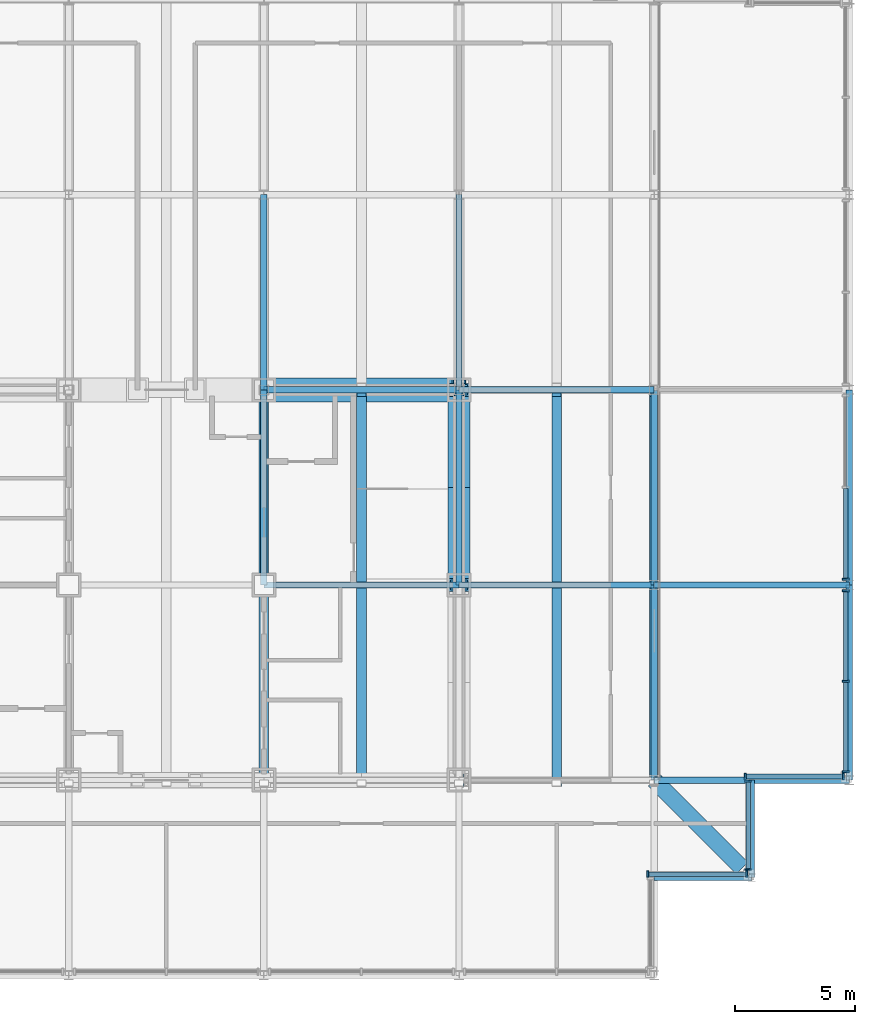
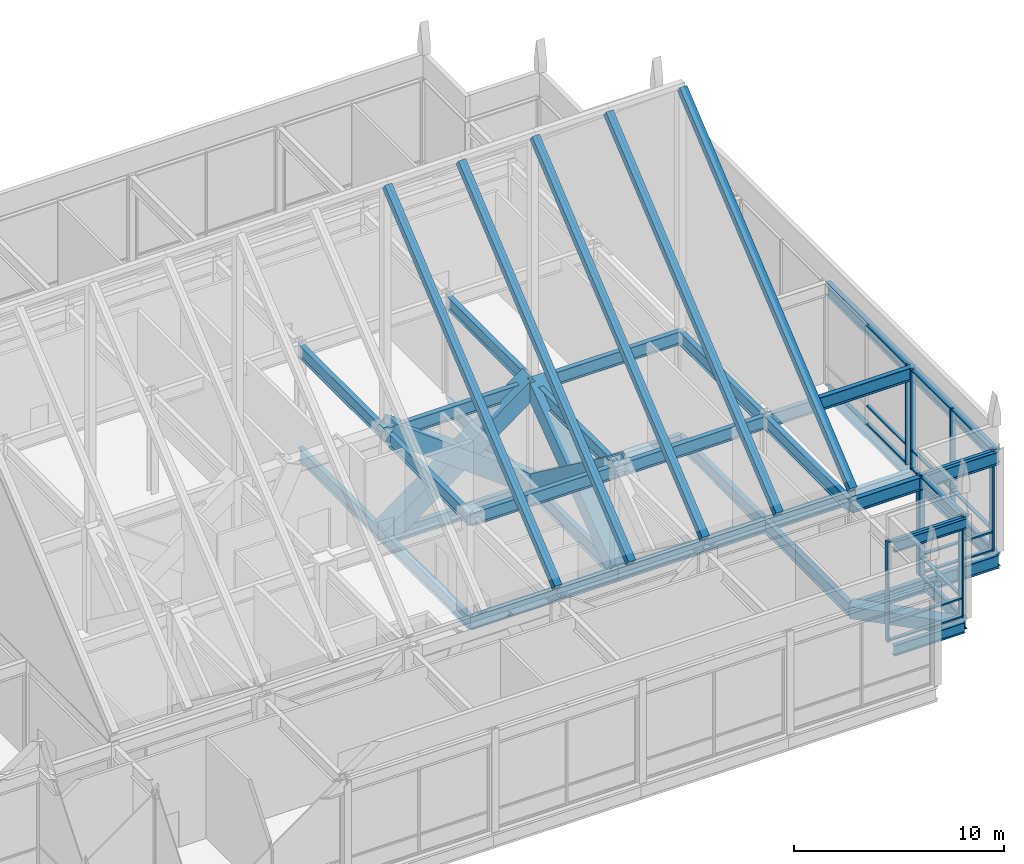
# One storey, part 8 of 22: 38 beams, 32 members, 5 elements without a shape of their own.
"""IFC4 building model written with IfcOpenShell, lengths in metres."""

from ifc_helpers import new_model, si_unit, direction, frame, origin, origin_2d, place, context, subcontext, project, spatial, rectangle, hollow_rectangle, i_section, extrude, material, material_profile, profile_set, type_object, element, aggregate, save


model = new_model("IFC4")

# Units and contexts
model_context = context("Model", 3, precision=1e-05, world=origin(), true_north=direction((0.0, 1.0)))
body_context = subcontext(model_context, "Body", "Model", "MODEL_VIEW")
ifc_project = project(units=[si_unit("LENGTHUNIT", "METRE"), si_unit("AREAUNIT", "SQUARE_METRE"), si_unit("VOLUMEUNIT", "CUBIC_METRE"), si_unit("PLANEANGLEUNIT", "RADIAN"), si_unit("MASSUNIT", "GRAM", prefix="KILO")], contexts=[model_context])

# Site, building, storey
site_placement = place(None, origin())
site = spatial("IfcSite", under=ifc_project, at=site_placement, CompositionType="ELEMENT")
building_placement = place(site_placement, origin())
building = spatial("IfcBuilding", under=site, at=building_placement, Name="Kopane Lantern Tower", CompositionType="ELEMENT")
storey_placement = place(building_placement, frame((0.0, 0.0, 303.89990234375)))
storey = spatial("IfcBuildingStorey", under=building, at=storey_placement, Name="L77", CompositionType="ELEMENT", Elevation=303.89990234375)

# Members
ifc_material_1 = material(Name="Steel S355JR", Category="steel")
ifc_material_profile_1 = material_profile(ifc_material_1, hollow_rectangle(XDim=1.0, YDim=1.0, WallThickness=0.10009765625, at=origin_2d()), Name="BOX 1000x1000x100")
ifc_profile_set_1 = profile_set([ifc_material_profile_1], Name="Steel S355JR")
member_type_1 = type_object("IfcMemberType", Name="BRACE BOX 1000x1000x100", PredefinedType="BRACE", material=ifc_profile_set_1)
for number, where, z_axis, x_axis, name in (
    (1, (32.39990234375, 40.5, -0.2099609375), (0.803085697945, 0.0, 0.595863542899), (0.0, 1.0, 0.0), "Core brace L77"),
    (2, (40.5, 40.5, -0.2099609375), (-0.803085697945, 0.0, 0.595863542899), (0.0, -1.0, 0.0), "Core brace L77"),
):
    element("IfcMember", number, at=place(storey_placement, frame(where, z_axis=z_axis, x_axis=x_axis)), inside=storey, type_object=member_type_1, Name=name, PredefinedType="BRACE", context=body_context, shape_type="SweptSolid", body=[
        extrude(hollow_rectangle(XDim=1.0, YDim=1.0, WallThickness=0.10009765625, at=origin_2d()), origin(), (0.0, 0.0, 1.0), 10.086181640625),
    ])
ifc_material_2 = material(Name="Steel S355JR", Category="steel")
ifc_material_profile_2 = material_profile(ifc_material_2, hollow_rectangle(XDim=0.89990234375, YDim=0.89990234375, WallThickness=0.090087890625, at=origin_2d()), Name="BOX 900x900x90")
ifc_profile_set_2 = profile_set([ifc_material_profile_2], Name="Steel S355JR")
member_type_2 = type_object("IfcMemberType", Name="BRACE BOX 900x900x90", PredefinedType="BRACE", material=ifc_profile_set_2)
for number, where, z_axis, x_axis, name in (
    (3, (40.5, 32.39990234375, -0.2099609375), (0.0, 0.803085697945, 0.595863542899), (-1.0, 0.0, 0.0), "Core brace L77"),
    (4, (40.5, 40.5, -0.2099609375), (0.0, -0.803085697945, 0.595863542899), (1.0, 0.0, 0.0), "Core brace L77"),
):
    element("IfcMember", number, at=place(storey_placement, frame(where, z_axis=z_axis, x_axis=x_axis)), inside=storey, type_object=member_type_2, Name=name, PredefinedType="BRACE", context=body_context, shape_type="SweptSolid", body=[
        extrude(hollow_rectangle(XDim=0.89990234375, YDim=0.89990234375, WallThickness=0.090087890625, at=origin_2d()), origin(), (0.0, 0.0, 1.0), 10.086181640625),
    ])

# Beams
ifc_material_3 = material(Name="Steel S355JR", Category="steel")
ifc_material_profile_3 = material_profile(ifc_material_3, i_section(OverallWidth=0.2666015625, OverallDepth=0.76220703125, WebThickness=0.014404296875, FlangeThickness=0.021484375, FilletRadius=0.0166015625, at=origin_2d()), Name="UB 762x267x173")
ifc_profile_set_3 = profile_set([ifc_material_profile_3], Name="Steel S355JR")
beam_type_1 = type_object("IfcBeamType", Name="CORE BEAM UB 762x267x173", PredefinedType="BEAM", material=ifc_profile_set_3)
for number, where, z_axis, x_axis, name in (
    (5, (32.39990234375, 32.39990234375, -0.591064453125), (0.0, 1.0, 0.0), (-1.0, 0.0, 0.0), "Core Beam L77"),
    (6, (32.39990234375, 32.39990234375, -0.591064453125), (1.0, 0.0, 0.0), (0.0, 1.0, 0.0), "Core Beam L77"),
    (7, (32.39990234375, 32.39990234375, 5.4189453125), (0.0, 1.0, 0.0), (-1.0, 0.0, 0.0), "Core Beam roof"),
    (8, (32.39990234375, 32.39990234375, 5.4189453125), (1.0, 0.0, 0.0), (0.0, 1.0, 0.0), "Core Beam roof"),
):
    element("IfcBeam", number, at=place(storey_placement, frame(where, z_axis=z_axis, x_axis=x_axis)), inside=storey, type_object=beam_type_1, Name=name, PredefinedType="BEAM", context=body_context, shape_type="SweptSolid", body=[
        extrude(i_section(OverallWidth=0.2666015625, OverallDepth=0.76220703125, WebThickness=0.014404296875, FlangeThickness=0.021484375, FilletRadius=0.0166015625, at=origin_2d()), origin(), (0.0, 0.0, 1.0), 8.10009765625),
    ])
ifc_material_4 = material(Name="Steel S355JR", Category="steel")
ifc_material_profile_4 = material_profile(ifc_material_4, hollow_rectangle(XDim=0.699951171875, YDim=0.699951171875, WallThickness=0.06005859375, at=origin_2d()), Name="BOX 700x700x60")
ifc_profile_set_4 = profile_set([ifc_material_profile_4], Name="Steel S355JR")
beam_type_2 = type_object("IfcBeamType", Name="CORNER TIE BEAM BOX 700x700x60", PredefinedType="BEAM", material=ifc_profile_set_4)
beam_1_placement = place(storey_placement, frame((52.25244140625, 20.6474609375, -0.559814453125), z_axis=(-0.707083148333, 0.70713041325, 0.0), x_axis=(-0.70713041325, -0.707083148333, 0.0)))
element("IfcBeam", 9, at=beam_1_placement, inside=storey, type_object=beam_type_2, Name="Corner Tie Beam L77", PredefinedType="BEAM", context=body_context, shape_type="SweptSolid", body=[
    extrude(hollow_rectangle(XDim=0.699951171875, YDim=0.699951171875, WallThickness=0.06005859375, at=origin_2d()), origin(), (0.0, 0.0, 1.0), 5.165283203125),
])
ifc_material_5 = material(Name="Steel S355JR", Category="steel")
ifc_material_profile_5 = material_profile(ifc_material_5, i_section(OverallWidth=0.22900390625, OverallDepth=0.6123046875, WebThickness=0.011962890625, FlangeThickness=0.01953125, FilletRadius=0.0126953125, at=origin_2d()), Name="UB 610x229x125")
ifc_profile_set_5 = profile_set([ifc_material_profile_5], Name="Steel S355JR")
beam_type_3 = type_object("IfcBeamType", Name="EDGE BEAM UB 610x229x125", PredefinedType="BEAM", material=ifc_profile_set_5)
for number, where, z_axis, x_axis, name in (
    (10, (52.496337890625, 20.25, -0.51611328125), (-1.0, 0.0, 0.0), (0.0, -1.0, 0.0), "Edge Beam L77"),
    (11, (52.64990234375, 20.40380859375, -0.51611328125), (0.0, 1.0, 0.0), (-1.0, 0.0, 0.0), "Edge Beam L77"),
):
    element("IfcBeam", number, at=place(storey_placement, frame(where, z_axis=z_axis, x_axis=x_axis)), inside=storey, type_object=beam_type_3, Name=name, PredefinedType="BEAM", context=body_context, shape_type="SweptSolid", body=[
        extrude(i_section(OverallWidth=0.22900390625, OverallDepth=0.6123046875, WebThickness=0.011962890625, FlangeThickness=0.01953125, FilletRadius=0.0126953125, at=origin_2d()), origin(), (0.0, 0.0, 1.0), 3.896240234375),
    ])
beam_2_placement = place(storey_placement, frame((52.64990234375, 20.25, 5.493896484375), z_axis=(-1.0, 0.0, 0.0), x_axis=(0.0, -1.0, 0.0)))
element("IfcBeam", 12, at=beam_2_placement, inside=storey, type_object=beam_type_3, Name="Edge Beam roof", PredefinedType="BEAM", context=body_context, shape_type="SweptSolid", body=[
    extrude(i_section(OverallWidth=0.22900390625, OverallDepth=0.6123046875, WebThickness=0.011962890625, FlangeThickness=0.01953125, FilletRadius=0.0126953125, at=origin_2d()), origin(), (0.0, 0.0, 1.0), 4.0498046875),
])
beam_3_placement = place(storey_placement, frame((52.64990234375, 20.25, 5.493896484375), z_axis=(0.0, 1.0, 0.0), x_axis=(-1.0, 0.0, 0.0)))
element("IfcBeam", 13, at=beam_3_placement, inside=storey, type_object=beam_type_3, Name="Edge Beam roof", PredefinedType="BEAM", context=body_context, shape_type="SweptSolid", body=[
    extrude(i_section(OverallWidth=0.22900390625, OverallDepth=0.6123046875, WebThickness=0.011962890625, FlangeThickness=0.01953125, FilletRadius=0.0126953125, at=origin_2d()), origin(), (0.0, 0.0, 1.0), 4.050048828125),
])
ifc_material_6 = material(Name="Steel S355JR", Category="steel")
ifc_material_profile_6 = material_profile(ifc_material_6, i_section(OverallWidth=0.2666015625, OverallDepth=0.76220703125, WebThickness=0.014404296875, FlangeThickness=0.021484375, FilletRadius=0.0166015625, at=origin_2d()), Name="UB 762x267x173")
ifc_profile_set_6 = profile_set([ifc_material_profile_6], Name="Steel S355JR")
beam_type_4 = type_object("IfcBeamType", Name="GIRDER UB 762x267x173", PredefinedType="BEAM", material=ifc_profile_set_6)
for number, where, z_axis, x_axis, name in (
    (14, (32.39990234375, 40.5, -0.591064453125), (0.0, 1.0, 0.0), (-1.0, 0.0, 0.0), "Girder L77"),
    (15, (32.39990234375, 40.5, -0.591064453125), (1.0, 0.0, 0.0), (0.0, 1.0, 0.0), "Girder L77"),
    (16, (40.5, 32.39990234375, -0.591064453125), (0.0, 1.0, 0.0), (-1.0, 0.0, 0.0), "Girder L77"),
    (17, (40.5, 32.39990234375, -0.591064453125), (1.0, 0.0, 0.0), (0.0, 1.0, 0.0), "Girder L77"),
    (18, (40.5, 40.5, -0.591064453125), (0.0, 1.0, 0.0), (-1.0, 0.0, 0.0), "Girder L77"),
    (19, (40.5, 40.5, -0.591064453125), (1.0, 0.0, 0.0), (0.0, 1.0, 0.0), "Girder L77"),
):
    element("IfcBeam", number, at=place(storey_placement, frame(where, z_axis=z_axis, x_axis=x_axis)), inside=storey, type_object=beam_type_4, Name=name, PredefinedType="BEAM", context=body_context, shape_type="SweptSolid", body=[
        extrude(i_section(OverallWidth=0.2666015625, OverallDepth=0.76220703125, WebThickness=0.014404296875, FlangeThickness=0.021484375, FilletRadius=0.0166015625, at=origin_2d()), origin(), (0.0, 0.0, 1.0), 8.10009765625),
    ])
for number, where, z_axis, x_axis, name in (
    (20, (48.60009765625, 24.300048828125, -0.591064453125), (0.0, 1.0, 0.0), (-1.0, 0.0, 0.0), "Girder L77"),
    (21, (48.60009765625, 24.300048828125, -0.591064453125), (1.0, 0.0, 0.0), (0.0, 1.0, 0.0), "Girder L77"),
):
    element("IfcBeam", number, at=place(storey_placement, frame(where, z_axis=z_axis, x_axis=x_axis)), inside=storey, type_object=beam_type_4, Name=name, PredefinedType="BEAM", context=body_context, shape_type="SweptSolid", body=[
        extrude(i_section(OverallWidth=0.2666015625, OverallDepth=0.76220703125, WebThickness=0.014404296875, FlangeThickness=0.021484375, FilletRadius=0.0166015625, at=origin_2d()), origin(), (0.0, 0.0, 1.0), 8.099853515625),
    ])
beam_4_placement = place(storey_placement, frame((48.60009765625, 32.39990234375, -0.591064453125), z_axis=(0.0, 1.0, 0.0), x_axis=(-1.0, 0.0, 0.0)))
element("IfcBeam", 22, at=beam_4_placement, inside=storey, type_object=beam_type_4, Name="Girder L77", PredefinedType="BEAM", context=body_context, shape_type="SweptSolid", body=[
    extrude(i_section(OverallWidth=0.2666015625, OverallDepth=0.76220703125, WebThickness=0.014404296875, FlangeThickness=0.021484375, FilletRadius=0.0166015625, at=origin_2d()), origin(), (0.0, 0.0, 1.0), 8.10009765625),
])
for number, where, z_axis, x_axis, name in (
    (23, (48.60009765625, 32.39990234375, -0.591064453125), (1.0, 0.0, 0.0), (0.0, 1.0, 0.0), "Girder L77"),
    (24, (56.699951171875, 24.300048828125, -0.591064453125), (0.0, 1.0, 0.0), (-1.0, 0.0, 0.0), "Girder L77"),
):
    element("IfcBeam", number, at=place(storey_placement, frame(where, z_axis=z_axis, x_axis=x_axis)), inside=storey, type_object=beam_type_4, Name=name, PredefinedType="BEAM", context=body_context, shape_type="SweptSolid", body=[
        extrude(i_section(OverallWidth=0.2666015625, OverallDepth=0.76220703125, WebThickness=0.014404296875, FlangeThickness=0.021484375, FilletRadius=0.0166015625, at=origin_2d()), origin(), (0.0, 0.0, 1.0), 8.099853515625),
    ])
beam_5_placement = place(storey_placement, frame((56.699951171875, 32.39990234375, -0.591064453125), z_axis=(0.0, 1.0, 0.0), x_axis=(-1.0, 0.0, 0.0)))
element("IfcBeam", 25, at=beam_5_placement, inside=storey, type_object=beam_type_4, Name="Girder L77", PredefinedType="BEAM", context=body_context, shape_type="SweptSolid", body=[
    extrude(i_section(OverallWidth=0.2666015625, OverallDepth=0.76220703125, WebThickness=0.014404296875, FlangeThickness=0.021484375, FilletRadius=0.0166015625, at=origin_2d()), origin(), (0.0, 0.0, 1.0), 8.10009765625),
])
ifc_material_7 = material(Name="Steel S355JR", Category="steel")
ifc_material_profile_7 = material_profile(ifc_material_7, hollow_rectangle(XDim=0.39990234375, YDim=0.39990234375, WallThickness=0.01611328125, at=origin_2d()), Name="RHS 400x400x16")
ifc_profile_set_7 = profile_set([ifc_material_profile_7], Name="Steel S355JR")
beam_type_5 = type_object("IfcBeamType", Name="LANTERN RAFTER SHS 400x400x16", PredefinedType="USERDEFINED", material=ifc_profile_set_7)
for number, where, z_axis, x_axis, name in (
    (26, (32.39990234375, 24.172119140625, 6.45361328125), (0.0, 0.768220329338, 0.640185539974), (-1.0, 0.0, 0.0), "Lantern rafter S"),
    (27, (36.449951171875, 24.172119140625, 6.45361328125), (0.0, 0.768220329338, 0.640185539974), (-1.0, 0.0, 0.0), "Lantern rafter S"),
    (28, (40.5, 24.172119140625, 6.45361328125), (0.0, 0.768220329338, 0.640185539974), (-1.0, 0.0, 0.0), "Lantern rafter S"),
    (29, (44.550048828125, 24.172119140625, 6.45361328125), (0.0, 0.768220329338, 0.640185539974), (-1.0, 0.0, 0.0), "Lantern rafter S"),
    (30, (48.60009765625, 24.172119140625, 6.45361328125), (0.0, 0.768220329338, 0.640185539974), (-1.0, 0.0, 0.0), "Lantern rafter S"),
):
    element("IfcBeam", number, at=place(storey_placement, frame(where, z_axis=z_axis, x_axis=x_axis)), inside=storey, type_object=beam_type_5, Name=name, ObjectType="RAFTER", PredefinedType="USERDEFINED", context=body_context, shape_type="SweptSolid", body=[
        extrude(hollow_rectangle(XDim=0.39990234375, YDim=0.39990234375, WallThickness=0.01611328125, at=origin_2d()), origin(), (0.0, 0.0, 1.0), 21.05908203125),
    ])

# Curtain wall, members
ifc_material_8 = material(Name="Aluminium and clear glass", Category="aluminium")
curtain_wall_type = type_object("IfcCurtainWallType", Name="CURTAIN WALL CW6 LANTERN CROWN", PredefinedType="USERDEFINED", material=ifc_material_8)
curtain_wall_1_placement = place(storey_placement, origin())
curtain_wall_1 = element("IfcCurtainWall", 31, at=curtain_wall_1_placement, inside=storey, type_object=curtain_wall_type, Name="Curtain wall CW6 S L77", ObjectType="CURTAIN WALL", PredefinedType="USERDEFINED")
ifc_material_9 = material(Name="Aluminium", Category="aluminium")
ifc_material_profile_8 = material_profile(ifc_material_9, rectangle(XDim=0.080078125, YDim=0.280029296875, at=origin_2d()), Name="AL 80x280")
ifc_profile_set_8 = profile_set([ifc_material_profile_8], Name="Aluminium")
member_type_3 = type_object("IfcMemberType", Name="MULLION CW6-M 80x280", PredefinedType="MULLION", material=ifc_profile_set_8)
member_1_placement = place(storey_placement, frame((48.340087890625, 20.39990234375, 0.0), z_axis=(0.0, 0.0, 1.0), x_axis=(1.0, 0.0, 0.0)))
member_1 = element("IfcMember", 32, at=member_1_placement, type_object=member_type_3, Name="CW6 mullion 1", PredefinedType="MULLION", context=body_context, shape_type="SweptSolid", body=[
    extrude(rectangle(XDim=0.080078125, YDim=0.280029296875, at=origin_2d()), origin(), (0.0, 0.0, 1.0), 5.800048828125),
])
member_2_placement = place(storey_placement, frame((52.451416015625, 20.39990234375, 0.0), z_axis=(0.0, 0.0, 1.0), x_axis=(1.0, 0.0, 0.0)))
member_2 = element("IfcMember", 33, at=member_2_placement, type_object=member_type_3, Name="CW6 mullion 2", PredefinedType="MULLION", context=body_context, shape_type="SweptSolid", body=[
    extrude(rectangle(XDim=0.080078125, YDim=0.280029296875, at=origin_2d()), origin(), (0.0, 0.0, 1.0), 5.800048828125),
])

curtain_wall_2_placement = place(storey_placement, origin())
curtain_wall_2 = element("IfcCurtainWall", 34, at=curtain_wall_2_placement, inside=storey, type_object=curtain_wall_type, Name="Curtain wall CW6 E L77", ObjectType="CURTAIN WALL", PredefinedType="USERDEFINED")
member_3_placement = place(storey_placement, frame((52.5, 20.590087890625, 0.0), z_axis=(0.0, 0.0, 1.0), x_axis=(0.0, 1.0, 0.0)))
member_3 = element("IfcMember", 35, at=member_3_placement, type_object=member_type_3, Name="CW6 mullion 1", PredefinedType="MULLION", context=body_context, shape_type="SweptSolid", body=[
    extrude(rectangle(XDim=0.080078125, YDim=0.280029296875, at=origin_2d()), origin(), (0.0, 0.0, 1.0), 5.800048828125),
])
member_4_placement = place(storey_placement, frame((52.5, 24.260009765625, 0.0), z_axis=(0.0, 0.0, 1.0), x_axis=(0.0, 1.0, 0.0)))
member_4 = element("IfcMember", 36, at=member_4_placement, type_object=member_type_3, Name="CW6 mullion 2", PredefinedType="MULLION", context=body_context, shape_type="SweptSolid", body=[
    extrude(rectangle(XDim=0.080078125, YDim=0.280029296875, at=origin_2d()), origin(), (0.0, 0.0, 1.0), 5.800048828125),
])

curtain_wall_3_placement = place(storey_placement, origin())
curtain_wall_3 = element("IfcCurtainWall", 37, at=curtain_wall_3_placement, inside=storey, type_object=curtain_wall_type, Name="Curtain wall CW6 S L77", ObjectType="CURTAIN WALL", PredefinedType="USERDEFINED")
member_5_placement = place(storey_placement, frame((52.389892578125, 24.449951171875, 0.0), z_axis=(0.0, 0.0, 1.0), x_axis=(1.0, 0.0, 0.0)))
member_5 = element("IfcMember", 38, at=member_5_placement, type_object=member_type_3, Name="CW6 mullion 1", PredefinedType="MULLION", context=body_context, shape_type="SweptSolid", body=[
    extrude(rectangle(XDim=0.080078125, YDim=0.280029296875, at=origin_2d()), origin(), (0.0, 0.0, 1.0), 5.800048828125),
])
member_6_placement = place(storey_placement, frame((56.45556640625, 24.449951171875, 0.0), z_axis=(0.0, 0.0, 1.0), x_axis=(1.0, 0.0, 0.0)))
member_6 = element("IfcMember", 39, at=member_6_placement, type_object=member_type_3, Name="CW6 mullion 2", PredefinedType="MULLION", context=body_context, shape_type="SweptSolid", body=[
    extrude(rectangle(XDim=0.080078125, YDim=0.280029296875, at=origin_2d()), origin(), (0.0, 0.0, 1.0), 5.800048828125),
])

curtain_wall_4_placement = place(storey_placement, origin())
curtain_wall_4 = element("IfcCurtainWall", 40, at=curtain_wall_4_placement, inside=storey, type_object=curtain_wall_type, Name="Curtain wall CW6 E L77", ObjectType="CURTAIN WALL", PredefinedType="USERDEFINED")
member_7_placement = place(storey_placement, frame((56.550048828125, 24.639892578125, 0.0), z_axis=(0.0, 0.0, 1.0), x_axis=(0.0, 1.0, 0.0)))
member_7 = element("IfcMember", 41, at=member_7_placement, type_object=member_type_3, Name="CW6 mullion 1", PredefinedType="MULLION", context=body_context, shape_type="SweptSolid", body=[
    extrude(rectangle(XDim=0.080078125, YDim=0.280029296875, at=origin_2d()), origin(), (0.0, 0.0, 1.0), 5.800048828125),
])
member_8_placement = place(storey_placement, frame((56.550048828125, 28.399169921875, 0.0), z_axis=(0.0, 0.0, 1.0), x_axis=(0.0, 1.0, 0.0)))
member_8 = element("IfcMember", 42, at=member_8_placement, type_object=member_type_3, Name="CW6 mullion 2", PredefinedType="MULLION", context=body_context, shape_type="SweptSolid", body=[
    extrude(rectangle(XDim=0.080078125, YDim=0.280029296875, at=origin_2d()), origin(), (0.0, 0.0, 1.0), 5.800048828125),
])
member_9_placement = place(storey_placement, frame((56.550048828125, 32.158203125, 0.0), z_axis=(0.0, 0.0, 1.0), x_axis=(0.0, 1.0, 0.0)))
member_9 = element("IfcMember", 43, at=member_9_placement, type_object=member_type_3, Name="CW6 mullion 3", PredefinedType="MULLION", context=body_context, shape_type="SweptSolid", body=[
    extrude(rectangle(XDim=0.080078125, YDim=0.280029296875, at=origin_2d()), origin(), (0.0, 0.0, 1.0), 5.800048828125),
])

# Curtain wall, member
curtain_wall_5_placement = place(storey_placement, origin())
curtain_wall_5 = element("IfcCurtainWall", 44, at=curtain_wall_5_placement, inside=storey, type_object=curtain_wall_type, Name="Curtain wall CW6 E L77", ObjectType="CURTAIN WALL", PredefinedType="USERDEFINED")
member_10_placement = place(storey_placement, frame((56.550048828125, 32.641845703125, 0.0), z_axis=(0.0, 0.0, 1.0), x_axis=(0.0, 1.0, 0.0)))
member_10 = element("IfcMember", 45, at=member_10_placement, type_object=member_type_3, Name="CW6 mullion 1", PredefinedType="MULLION", context=body_context, shape_type="SweptSolid", body=[
    extrude(rectangle(XDim=0.080078125, YDim=0.280029296875, at=origin_2d()), origin(), (0.0, 0.0, 1.0), 5.800048828125),
])

# Beams
ifc_material_10 = material(Name="Steel S355JR", Category="steel")
ifc_material_profile_9 = material_profile(ifc_material_10, i_section(OverallWidth=0.2666015625, OverallDepth=0.76220703125, WebThickness=0.014404296875, FlangeThickness=0.021484375, FilletRadius=0.0166015625, at=origin_2d()), Name="UB 762x267x173")
ifc_profile_set_9 = profile_set([ifc_material_profile_9], Name="Steel S355JR")
beam_type_6 = type_object("IfcBeamType", Name="ROOF GIRDER UB 762x267x173", PredefinedType="BEAM", material=ifc_profile_set_9)
for number, where, z_axis, x_axis, name in (
    (46, (32.39990234375, 40.5, 5.4189453125), (0.0, 1.0, 0.0), (-1.0, 0.0, 0.0), "Roof Girder roof"),
    (47, (40.5, 32.39990234375, 5.4189453125), (0.0, 1.0, 0.0), (-1.0, 0.0, 0.0), "Roof Girder roof"),
    (48, (40.5, 40.5, 5.4189453125), (0.0, 1.0, 0.0), (-1.0, 0.0, 0.0), "Roof Girder roof"),
):
    element("IfcBeam", number, at=place(storey_placement, frame(where, z_axis=z_axis, x_axis=x_axis)), inside=storey, type_object=beam_type_6, Name=name, PredefinedType="BEAM", context=body_context, shape_type="SweptSolid", body=[
        extrude(i_section(OverallWidth=0.2666015625, OverallDepth=0.76220703125, WebThickness=0.014404296875, FlangeThickness=0.021484375, FilletRadius=0.0166015625, at=origin_2d()), origin(), (0.0, 0.0, 1.0), 8.10009765625),
    ])
beam_6_placement = place(storey_placement, frame((48.60009765625, 24.300048828125, 5.4189453125), z_axis=(0.0, 1.0, 0.0), x_axis=(-1.0, 0.0, 0.0)))
element("IfcBeam", 49, at=beam_6_placement, inside=storey, type_object=beam_type_6, Name="Roof Girder roof", PredefinedType="BEAM", context=body_context, shape_type="SweptSolid", body=[
    extrude(i_section(OverallWidth=0.2666015625, OverallDepth=0.76220703125, WebThickness=0.014404296875, FlangeThickness=0.021484375, FilletRadius=0.0166015625, at=origin_2d()), origin(), (0.0, 0.0, 1.0), 8.099853515625),
])
beam_7_placement = place(storey_placement, frame((48.60009765625, 32.39990234375, 5.4189453125), z_axis=(0.0, 1.0, 0.0), x_axis=(-1.0, 0.0, 0.0)))
element("IfcBeam", 50, at=beam_7_placement, inside=storey, type_object=beam_type_6, Name="Roof Girder roof", PredefinedType="BEAM", context=body_context, shape_type="SweptSolid", body=[
    extrude(i_section(OverallWidth=0.2666015625, OverallDepth=0.76220703125, WebThickness=0.014404296875, FlangeThickness=0.021484375, FilletRadius=0.0166015625, at=origin_2d()), origin(), (0.0, 0.0, 1.0), 8.10009765625),
])
beam_8_placement = place(storey_placement, frame((56.699951171875, 24.300048828125, 5.4189453125), z_axis=(0.0, 1.0, 0.0), x_axis=(-1.0, 0.0, 0.0)))
element("IfcBeam", 51, at=beam_8_placement, inside=storey, type_object=beam_type_6, Name="Roof Girder roof", PredefinedType="BEAM", context=body_context, shape_type="SweptSolid", body=[
    extrude(i_section(OverallWidth=0.2666015625, OverallDepth=0.76220703125, WebThickness=0.014404296875, FlangeThickness=0.021484375, FilletRadius=0.0166015625, at=origin_2d()), origin(), (0.0, 0.0, 1.0), 8.099853515625),
])
beam_9_placement = place(storey_placement, frame((56.699951171875, 32.39990234375, 5.4189453125), z_axis=(0.0, 1.0, 0.0), x_axis=(-1.0, 0.0, 0.0)))
element("IfcBeam", 52, at=beam_9_placement, inside=storey, type_object=beam_type_6, Name="Roof Girder roof", PredefinedType="BEAM", context=body_context, shape_type="SweptSolid", body=[
    extrude(i_section(OverallWidth=0.2666015625, OverallDepth=0.76220703125, WebThickness=0.014404296875, FlangeThickness=0.021484375, FilletRadius=0.0166015625, at=origin_2d()), origin(), (0.0, 0.0, 1.0), 8.10009765625),
])
beam_10_placement = place(storey_placement, frame((48.60009765625, 24.300048828125, 5.4189453125), z_axis=(1.0, 0.0, 0.0), x_axis=(0.0, 1.0, 0.0)))
element("IfcBeam", 53, at=beam_10_placement, inside=storey, type_object=beam_type_6, Name="Roof Girder roof", PredefinedType="BEAM", context=body_context, shape_type="SweptSolid", body=[
    extrude(i_section(OverallWidth=0.2666015625, OverallDepth=0.76220703125, WebThickness=0.014404296875, FlangeThickness=0.021484375, FilletRadius=0.0166015625, at=origin_2d()), origin(), (0.0, 0.0, 1.0), 8.099853515625),
])
beam_11_placement = place(storey_placement, frame((40.5, 32.39990234375, 5.4189453125), z_axis=(1.0, 0.0, 0.0), x_axis=(0.0, 1.0, 0.0)))
element("IfcBeam", 54, at=beam_11_placement, inside=storey, type_object=beam_type_6, Name="Roof Girder roof", PredefinedType="BEAM", context=body_context, shape_type="SweptSolid", body=[
    extrude(i_section(OverallWidth=0.2666015625, OverallDepth=0.76220703125, WebThickness=0.014404296875, FlangeThickness=0.021484375, FilletRadius=0.0166015625, at=origin_2d()), origin(), (0.0, 0.0, 1.0), 8.10009765625),
])
beam_12_placement = place(storey_placement, frame((48.60009765625, 32.39990234375, 5.4189453125), z_axis=(1.0, 0.0, 0.0), x_axis=(0.0, 1.0, 0.0)))
element("IfcBeam", 55, at=beam_12_placement, inside=storey, type_object=beam_type_6, Name="Roof Girder roof", PredefinedType="BEAM", context=body_context, shape_type="SweptSolid", body=[
    extrude(i_section(OverallWidth=0.2666015625, OverallDepth=0.76220703125, WebThickness=0.014404296875, FlangeThickness=0.021484375, FilletRadius=0.0166015625, at=origin_2d()), origin(), (0.0, 0.0, 1.0), 8.099853515625),
])
for number, where, z_axis, x_axis, name in (
    (56, (32.39990234375, 40.5, 5.4189453125), (1.0, 0.0, 0.0), (0.0, 1.0, 0.0), "Roof Girder roof"),
    (57, (40.5, 40.5, 5.4189453125), (1.0, 0.0, 0.0), (0.0, 1.0, 0.0), "Roof Girder roof"),
):
    element("IfcBeam", number, at=place(storey_placement, frame(where, z_axis=z_axis, x_axis=x_axis)), inside=storey, type_object=beam_type_6, Name=name, PredefinedType="BEAM", context=body_context, shape_type="SweptSolid", body=[
        extrude(i_section(OverallWidth=0.2666015625, OverallDepth=0.76220703125, WebThickness=0.014404296875, FlangeThickness=0.021484375, FilletRadius=0.0166015625, at=origin_2d()), origin(), (0.0, 0.0, 1.0), 8.10009765625),
    ])

# Member
ifc_material_11 = material(Name="Aluminium", Category="aluminium")
ifc_material_profile_10 = material_profile(ifc_material_11, rectangle(XDim=0.18994140625, YDim=0.080078125, at=origin_2d()), Name="AL 190x80")
ifc_profile_set_10 = profile_set([ifc_material_profile_10], Name="Aluminium")
member_type_4 = type_object("IfcMemberType", Name="TRANSOM CW6-T 80x190", PredefinedType="USERDEFINED", material=ifc_profile_set_10)
member_11_placement = place(storey_placement, frame((48.3798828125, 20.39990234375, 0.0400390625), z_axis=(1.0, 0.0, 0.0), x_axis=(0.0, 1.0, 0.0)))
member_11 = element("IfcMember", 58, at=member_11_placement, type_object=member_type_4, Name="CW6 transom 1.1", ObjectType="TRANSOM", PredefinedType="USERDEFINED", context=body_context, shape_type="SweptSolid", body=[
    extrude(rectangle(XDim=0.18994140625, YDim=0.080078125, at=origin_2d()), origin(), (0.0, 0.0, 1.0), 4.031494140625),
])

member_12_placement = place(storey_placement, frame((48.3798828125, 20.39990234375, 1.10009765625), z_axis=(1.0, 0.0, 0.0), x_axis=(0.0, 1.0, 0.0)))
member_12 = element("IfcMember", 59, at=member_12_placement, type_object=member_type_4, Name="CW6 transom 1.2", ObjectType="TRANSOM", PredefinedType="USERDEFINED", context=body_context, shape_type="SweptSolid", body=[
    extrude(rectangle(XDim=0.18994140625, YDim=0.080078125, at=origin_2d()), origin(), (0.0, 0.0, 1.0), 4.031494140625),
])

member_13_placement = place(storey_placement, frame((48.3798828125, 20.39990234375, 5.760009765625), z_axis=(1.0, 0.0, 0.0), x_axis=(0.0, 1.0, 0.0)))
member_13 = element("IfcMember", 60, at=member_13_placement, type_object=member_type_4, Name="CW6 transom 1.3", ObjectType="TRANSOM", PredefinedType="USERDEFINED", context=body_context, shape_type="SweptSolid", body=[
    extrude(rectangle(XDim=0.18994140625, YDim=0.080078125, at=origin_2d()), origin(), (0.0, 0.0, 1.0), 4.031494140625),
])

aggregate(curtain_wall_1, [member_1, member_2, member_11, member_12, member_13])

member_14_placement = place(storey_placement, frame((52.5, 20.6298828125, 0.0400390625), z_axis=(0.0, 1.0, 0.0), x_axis=(-1.0, 0.0, 0.0)))
member_14 = element("IfcMember", 61, at=member_14_placement, type_object=member_type_4, Name="CW6 transom 1.1", ObjectType="TRANSOM", PredefinedType="USERDEFINED", context=body_context, shape_type="SweptSolid", body=[
    extrude(rectangle(XDim=0.18994140625, YDim=0.080078125, at=origin_2d()), origin(), (0.0, 0.0, 1.0), 3.590087890625),
])

member_15_placement = place(storey_placement, frame((52.5, 20.6298828125, 1.10009765625), z_axis=(0.0, 1.0, 0.0), x_axis=(-1.0, 0.0, 0.0)))
member_15 = element("IfcMember", 62, at=member_15_placement, type_object=member_type_4, Name="CW6 transom 1.2", ObjectType="TRANSOM", PredefinedType="USERDEFINED", context=body_context, shape_type="SweptSolid", body=[
    extrude(rectangle(XDim=0.18994140625, YDim=0.080078125, at=origin_2d()), origin(), (0.0, 0.0, 1.0), 3.590087890625),
])

member_16_placement = place(storey_placement, frame((52.5, 20.6298828125, 5.760009765625), z_axis=(0.0, 1.0, 0.0), x_axis=(-1.0, 0.0, 0.0)))
member_16 = element("IfcMember", 63, at=member_16_placement, type_object=member_type_4, Name="CW6 transom 1.3", ObjectType="TRANSOM", PredefinedType="USERDEFINED", context=body_context, shape_type="SweptSolid", body=[
    extrude(rectangle(XDim=0.18994140625, YDim=0.080078125, at=origin_2d()), origin(), (0.0, 0.0, 1.0), 3.590087890625),
])

aggregate(curtain_wall_2, [member_3, member_4, member_14, member_15, member_16])

member_17_placement = place(storey_placement, frame((52.429931640625, 24.449951171875, 0.0400390625), z_axis=(1.0, 0.0, 0.0), x_axis=(0.0, 1.0, 0.0)))
member_17 = element("IfcMember", 64, at=member_17_placement, type_object=member_type_4, Name="CW6 transom 1.1", ObjectType="TRANSOM", PredefinedType="USERDEFINED", context=body_context, shape_type="SweptSolid", body=[
    extrude(rectangle(XDim=0.18994140625, YDim=0.080078125, at=origin_2d()), origin(), (0.0, 0.0, 1.0), 3.985595703125),
])

member_18_placement = place(storey_placement, frame((52.429931640625, 24.449951171875, 1.10009765625), z_axis=(1.0, 0.0, 0.0), x_axis=(0.0, 1.0, 0.0)))
member_18 = element("IfcMember", 65, at=member_18_placement, type_object=member_type_4, Name="CW6 transom 1.2", ObjectType="TRANSOM", PredefinedType="USERDEFINED", context=body_context, shape_type="SweptSolid", body=[
    extrude(rectangle(XDim=0.18994140625, YDim=0.080078125, at=origin_2d()), origin(), (0.0, 0.0, 1.0), 3.985595703125),
])

member_19_placement = place(storey_placement, frame((52.429931640625, 24.449951171875, 5.760009765625), z_axis=(1.0, 0.0, 0.0), x_axis=(0.0, 1.0, 0.0)))
member_19 = element("IfcMember", 66, at=member_19_placement, type_object=member_type_4, Name="CW6 transom 1.3", ObjectType="TRANSOM", PredefinedType="USERDEFINED", context=body_context, shape_type="SweptSolid", body=[
    extrude(rectangle(XDim=0.18994140625, YDim=0.080078125, at=origin_2d()), origin(), (0.0, 0.0, 1.0), 3.985595703125),
])

aggregate(curtain_wall_3, [member_5, member_6, member_17, member_18, member_19])

member_20_placement = place(storey_placement, frame((56.550048828125, 24.679931640625, 0.0400390625), z_axis=(0.0, 1.0, 0.0), x_axis=(-1.0, 0.0, 0.0)))
member_20 = element("IfcMember", 67, at=member_20_placement, type_object=member_type_4, Name="CW6 transom 1.1", ObjectType="TRANSOM", PredefinedType="USERDEFINED", context=body_context, shape_type="SweptSolid", body=[
    extrude(rectangle(XDim=0.18994140625, YDim=0.080078125, at=origin_2d()), origin(), (0.0, 0.0, 1.0), 3.67919921875),
])

member_21_placement = place(storey_placement, frame((56.550048828125, 24.679931640625, 1.10009765625), z_axis=(0.0, 1.0, 0.0), x_axis=(-1.0, 0.0, 0.0)))
member_21 = element("IfcMember", 68, at=member_21_placement, type_object=member_type_4, Name="CW6 transom 1.2", ObjectType="TRANSOM", PredefinedType="USERDEFINED", context=body_context, shape_type="SweptSolid", body=[
    extrude(rectangle(XDim=0.18994140625, YDim=0.080078125, at=origin_2d()), origin(), (0.0, 0.0, 1.0), 3.67919921875),
])

member_22_placement = place(storey_placement, frame((56.550048828125, 24.679931640625, 5.760009765625), z_axis=(0.0, 1.0, 0.0), x_axis=(-1.0, 0.0, 0.0)))
member_22 = element("IfcMember", 69, at=member_22_placement, type_object=member_type_4, Name="CW6 transom 1.3", ObjectType="TRANSOM", PredefinedType="USERDEFINED", context=body_context, shape_type="SweptSolid", body=[
    extrude(rectangle(XDim=0.18994140625, YDim=0.080078125, at=origin_2d()), origin(), (0.0, 0.0, 1.0), 3.67919921875),
])

member_23_placement = place(storey_placement, frame((56.550048828125, 28.439208984375, 0.0400390625), z_axis=(0.0, 1.0, 0.0), x_axis=(-1.0, 0.0, 0.0)))
member_23 = element("IfcMember", 70, at=member_23_placement, type_object=member_type_4, Name="CW6 transom 2.1", ObjectType="TRANSOM", PredefinedType="USERDEFINED", context=body_context, shape_type="SweptSolid", body=[
    extrude(rectangle(XDim=0.18994140625, YDim=0.080078125, at=origin_2d()), origin(), (0.0, 0.0, 1.0), 3.678955078125),
])

member_24_placement = place(storey_placement, frame((56.550048828125, 28.439208984375, 1.10009765625), z_axis=(0.0, 1.0, 0.0), x_axis=(-1.0, 0.0, 0.0)))
member_24 = element("IfcMember", 71, at=member_24_placement, type_object=member_type_4, Name="CW6 transom 2.2", ObjectType="TRANSOM", PredefinedType="USERDEFINED", context=body_context, shape_type="SweptSolid", body=[
    extrude(rectangle(XDim=0.18994140625, YDim=0.080078125, at=origin_2d()), origin(), (0.0, 0.0, 1.0), 3.678955078125),
])

member_25_placement = place(storey_placement, frame((56.550048828125, 28.439208984375, 5.760009765625), z_axis=(0.0, 1.0, 0.0), x_axis=(-1.0, 0.0, 0.0)))
member_25 = element("IfcMember", 72, at=member_25_placement, type_object=member_type_4, Name="CW6 transom 2.3", ObjectType="TRANSOM", PredefinedType="USERDEFINED", context=body_context, shape_type="SweptSolid", body=[
    extrude(rectangle(XDim=0.18994140625, YDim=0.080078125, at=origin_2d()), origin(), (0.0, 0.0, 1.0), 3.678955078125),
])

aggregate(curtain_wall_4, [member_7, member_8, member_9, member_20, member_21, member_22, member_23, member_24, member_25])

member_26_placement = place(storey_placement, frame((56.550048828125, 32.681884765625, 0.0400390625), z_axis=(0.0, 1.0, 0.0), x_axis=(-1.0, 0.0, 0.0)))
member_26 = element("IfcMember", 73, at=member_26_placement, type_object=member_type_4, Name="CW6 transom 1.1", ObjectType="TRANSOM", PredefinedType="USERDEFINED", context=body_context, shape_type="SweptSolid", body=[
    extrude(rectangle(XDim=0.18994140625, YDim=0.080078125, at=origin_2d()), origin(), (0.0, 0.0, 1.0), 3.72802734375),
])

member_27_placement = place(storey_placement, frame((56.550048828125, 32.681884765625, 1.10009765625), z_axis=(0.0, 1.0, 0.0), x_axis=(-1.0, 0.0, 0.0)))
member_27 = element("IfcMember", 74, at=member_27_placement, type_object=member_type_4, Name="CW6 transom 1.2", ObjectType="TRANSOM", PredefinedType="USERDEFINED", context=body_context, shape_type="SweptSolid", body=[
    extrude(rectangle(XDim=0.18994140625, YDim=0.080078125, at=origin_2d()), origin(), (0.0, 0.0, 1.0), 3.72802734375),
])

member_28_placement = place(storey_placement, frame((56.550048828125, 32.681884765625, 5.760009765625), z_axis=(0.0, 1.0, 0.0), x_axis=(-1.0, 0.0, 0.0)))
member_28 = element("IfcMember", 75, at=member_28_placement, type_object=member_type_4, Name="CW6 transom 1.3", ObjectType="TRANSOM", PredefinedType="USERDEFINED", context=body_context, shape_type="SweptSolid", body=[
    extrude(rectangle(XDim=0.18994140625, YDim=0.080078125, at=origin_2d()), origin(), (0.0, 0.0, 1.0), 3.72802734375),
])

aggregate(curtain_wall_5, [member_10, member_26, member_27, member_28])

save(model, "model.ifc")
